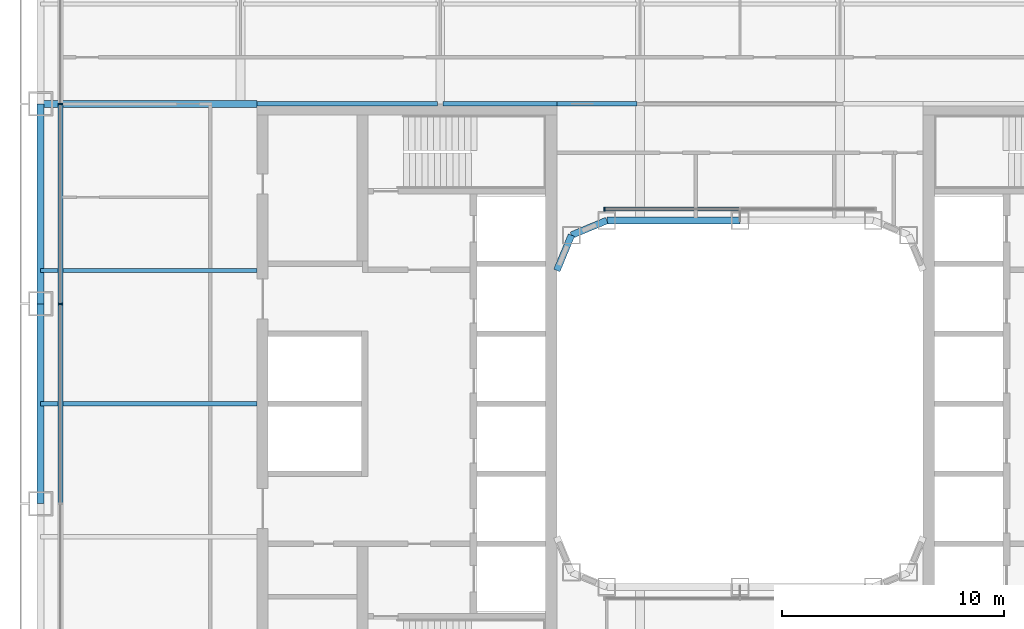
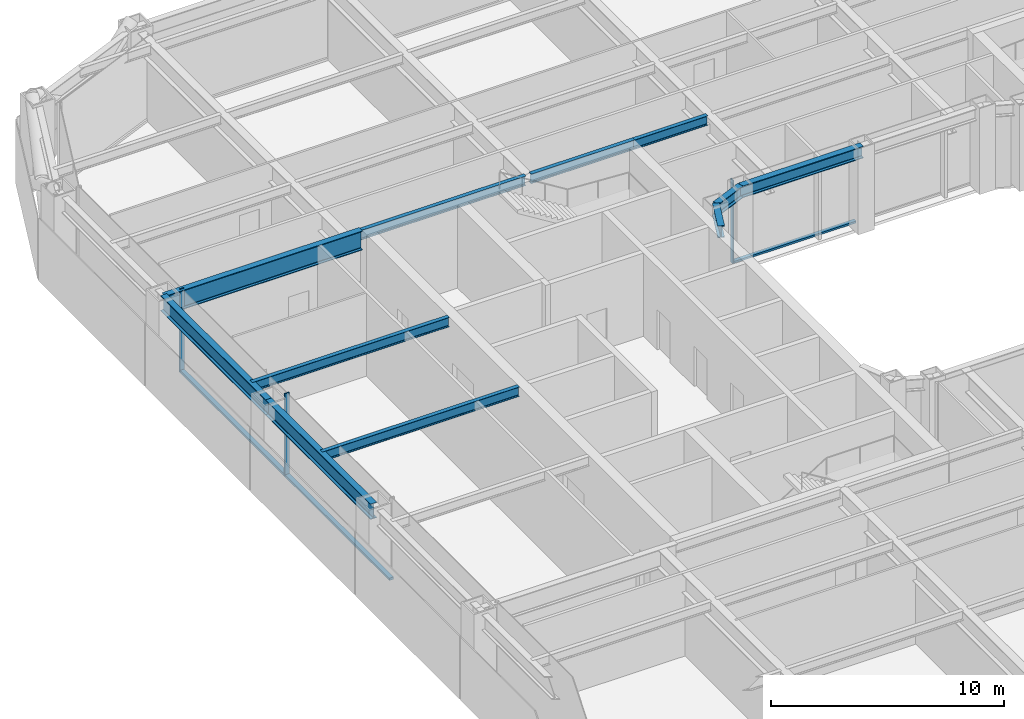
# One storey, part 6 of 30: 11 beams, 6 members, 2 elements without a shape of their own.
"""IFC4 building model written with IfcOpenShell, lengths in metres."""

from ifc_helpers import new_model, si_unit, direction, frame, origin, origin_2d, place, context, subcontext, project, spatial, rectangle, i_section, extrude, material, layer, layer_set, material_profile, profile_set, type_object, element, aggregate, save


model = new_model("IFC4")

# Units and contexts
model_context = context("Model", 3, precision=1e-05, world=origin(), true_north=direction((0.0, 1.0)))
body_context = subcontext(model_context, "Body", "Model", "MODEL_VIEW")
ifc_project = project(units=[si_unit("LENGTHUNIT", "METRE"), si_unit("AREAUNIT", "SQUARE_METRE"), si_unit("VOLUMEUNIT", "CUBIC_METRE"), si_unit("PLANEANGLEUNIT", "RADIAN"), si_unit("MASSUNIT", "GRAM", prefix="KILO")], contexts=[model_context])

# Site, building, storey
site_placement = place(None, origin())
site = spatial("IfcSite", under=ifc_project, at=site_placement, CompositionType="ELEMENT")
building_placement = place(site_placement, origin())
building = spatial("IfcBuilding", under=site, at=building_placement, Name="Siwar Civic Tower", CompositionType="ELEMENT")
storey_placement = place(building_placement, frame((0.0, 0.0, 26.699951171875)))
storey = spatial("IfcBuildingStorey", under=building, at=storey_placement, Name="L05", CompositionType="ELEMENT", Elevation=26.699951171875)

# Curtain wall, members
ifc_material_1 = material(Name="Aluminium and glass", Category="aluminium")
ifc_layer_1 = layer(ifc_material_1, 0.219970703125)
ifc_layer_set_1 = layer_set([ifc_layer_1], Name="Aluminium and glass")
curtain_wall_type_1 = type_object("IfcCurtainWallType", Name="ENV-CW-A", PredefinedType="NOTDEFINED", material=ifc_layer_set_1)
curtain_wall_1_placement = place(storey_placement, origin())
curtain_wall_1 = element("IfcCurtainWall", 1, at=curtain_wall_1_placement, inside=storey, type_object=curtain_wall_type_1, Name="Curtain wall A W", PredefinedType="NOTDEFINED")
ifc_material_2 = material(Name="Aluminium 6063-T6", Category="aluminium")
ifc_material_profile_1 = material_profile(ifc_material_2, rectangle(XDim=0.219970703125, YDim=0.070068359375, at=origin_2d()), Name="AL 220x70")
ifc_profile_set_1 = profile_set([ifc_material_profile_1], Name="Aluminium 6063-T6")
member_type_1 = type_object("IfcMemberType", Name="ENV-MULLION-A", PredefinedType="MULLION", material=ifc_profile_set_1)
member_1_placement = place(storey_placement, frame((-30.60009765625, 13.5, 0.0), z_axis=(0.0, 0.0, 1.0), x_axis=(1.0, 0.0, 0.0)))
member_1 = element("IfcMember", 2, at=member_1_placement, type_object=member_type_1, Name="Mullion A W 2", PredefinedType="MULLION", context=body_context, shape_type="SweptSolid", body=[
    extrude(rectangle(XDim=0.219970703125, YDim=0.070068359375, at=origin_2d()), origin(), (0.0, 0.0, 1.0), 4.35009765625),
])
member_2_placement = place(storey_placement, frame((-30.60009765625, 4.5, 0.0), z_axis=(0.0, 0.0, 1.0), x_axis=(1.0, 0.0, 0.0)))
member_2 = element("IfcMember", 3, at=member_2_placement, type_object=member_type_1, Name="Mullion A W 3", PredefinedType="MULLION", context=body_context, shape_type="SweptSolid", body=[
    extrude(rectangle(XDim=0.219970703125, YDim=0.070068359375, at=origin_2d()), origin(), (0.0, 0.0, 1.0), 4.35009765625),
])

# Curtain wall, member
ifc_material_3 = material(Name="Aluminium and glass", Category="aluminium")
ifc_layer_2 = layer(ifc_material_3, 0.179931640625)
ifc_layer_set_2 = layer_set([ifc_layer_2], Name="Aluminium and glass")
curtain_wall_type_2 = type_object("IfcCurtainWallType", Name="ENV-CW-W", PredefinedType="NOTDEFINED", material=ifc_layer_set_2)
curtain_wall_2_placement = place(storey_placement, origin())
curtain_wall_2 = element("IfcCurtainWall", 4, at=curtain_wall_2_placement, inside=storey, type_object=curtain_wall_type_2, Name="Curtain wall W WN", PredefinedType="NOTDEFINED")
ifc_material_4 = material(Name="Aluminium 6063-T6", Category="aluminium")
ifc_material_profile_2 = material_profile(ifc_material_4, rectangle(XDim=0.179931640625, YDim=0.06005859375, at=origin_2d()), Name="AL 180x60")
ifc_profile_set_2 = profile_set([ifc_material_profile_2], Name="Aluminium 6063-T6")
member_type_2 = type_object("IfcMemberType", Name="ENV-MULLION-W", PredefinedType="MULLION", material=ifc_profile_set_2)
member_3_placement = place(storey_placement, frame((-6.1015625, 8.760009765625, 0.0), z_axis=(0.0, 0.0, 1.0), x_axis=(0.0, -1.0, 0.0)))
member_3 = element("IfcMember", 5, at=member_3_placement, type_object=member_type_2, Name="Mullion W WN 3", PredefinedType="MULLION", context=body_context, shape_type="SweptSolid", body=[
    extrude(rectangle(XDim=0.179931640625, YDim=0.06005859375, at=origin_2d()), origin(), (0.0, 0.0, 1.0), 4.35009765625),
])

# Member
ifc_material_5 = material(Name="Aluminium 6063-T6", Category="aluminium")
ifc_material_profile_3 = material_profile(ifc_material_5, rectangle(XDim=0.219970703125, YDim=0.1201171875, at=origin_2d()), Name="AL 220x120")
ifc_profile_set_3 = profile_set([ifc_material_profile_3], Name="Aluminium 6063-T6")
member_type_3 = type_object("IfcMemberType", Name="ENV-TRANSOM-A", PredefinedType="USERDEFINED", material=ifc_profile_set_3)
member_4_placement = place(storey_placement, frame((-30.60009765625, 13.465087890625, 0.06005859375), z_axis=(0.0, -1.0, 0.0), x_axis=(1.0, 0.0, 0.0)))
member_4 = element("IfcMember", 6, at=member_4_placement, type_object=member_type_3, Name="Transom A W 2", ObjectType="TRANSOM", PredefinedType="USERDEFINED", context=body_context, shape_type="SweptSolid", body=[
    extrude(rectangle(XDim=0.219970703125, YDim=0.1201171875, at=origin_2d()), origin(), (0.0, 0.0, 1.0), 8.93017578125),
])

member_5_placement = place(storey_placement, frame((-30.60009765625, 4.465087890625, 0.06005859375), z_axis=(0.0, -1.0, 0.0), x_axis=(1.0, 0.0, 0.0)))
member_5 = element("IfcMember", 7, at=member_5_placement, type_object=member_type_3, Name="Transom A W 3", ObjectType="TRANSOM", PredefinedType="USERDEFINED", context=body_context, shape_type="SweptSolid", body=[
    extrude(rectangle(XDim=0.219970703125, YDim=0.1201171875, at=origin_2d()), origin(), (0.0, 0.0, 1.0), 8.93017578125),
])

aggregate(curtain_wall_1, [member_1, member_2, member_4, member_5])

ifc_material_6 = material(Name="Aluminium 6063-T6", Category="aluminium")
ifc_material_profile_4 = material_profile(ifc_material_6, rectangle(XDim=0.179931640625, YDim=0.10009765625, at=origin_2d()), Name="AL 180x100")
ifc_profile_set_4 = profile_set([ifc_material_profile_4], Name="Aluminium 6063-T6")
member_type_4 = type_object("IfcMemberType", Name="ENV-TRANSOM-W", PredefinedType="USERDEFINED", material=ifc_profile_set_4)
member_6_placement = place(storey_placement, frame((-0.030029296875, 8.760009765625, 0.050048828125), z_axis=(-1.0, 0.0, 0.0), x_axis=(0.0, -1.0, 0.0)))
member_6 = element("IfcMember", 8, at=member_6_placement, type_object=member_type_4, Name="Transom W WN 2", ObjectType="TRANSOM", PredefinedType="USERDEFINED", context=body_context, shape_type="SweptSolid", body=[
    extrude(rectangle(XDim=0.179931640625, YDim=0.10009765625, at=origin_2d()), origin(), (0.0, 0.0, 1.0), 6.04150390625),
])

aggregate(curtain_wall_2, [member_3, member_6])

# Beams
ifc_material_7 = material(Name="Steel S355", Category="steel")
ifc_material_profile_5 = material_profile(ifc_material_7, i_section(OverallWidth=0.199951171875, OverallDepth=0.5, WebThickness=0.01025390625, FlangeThickness=0.01611328125, FilletRadius=0.02099609375, at=origin_2d()), Name="IPE500")
ifc_profile_set_5 = profile_set([ifc_material_profile_5], Name="Steel S355")
beam_type_1 = type_object("IfcBeamType", Name="STR-FB-IPE500", PredefinedType="JOIST", material=ifc_profile_set_5)
for number, where, z_axis, x_axis, name in (
    (9, (-31.5, 0.0, 4.10009765625), (1.0, 0.0, 0.0), (0.0, 1.0, 0.0), "L05/bm/F033"),
    (10, (-31.5, 6.0, 4.10009765625), (1.0, 0.0, 0.0), (0.0, 1.0, 0.0), "L05/bm/F035"),
):
    element("IfcBeam", number, at=place(storey_placement, frame(where, z_axis=z_axis, x_axis=x_axis)), inside=storey, type_object=beam_type_1, Name=name, PredefinedType="JOIST", context=body_context, shape_type="SweptSolid", body=[
        extrude(i_section(OverallWidth=0.199951171875, OverallDepth=0.5, WebThickness=0.01025390625, FlangeThickness=0.01611328125, FilletRadius=0.02099609375, at=origin_2d()), origin(), (0.0, 0.0, 1.0), 9.75),
    ])
beam_1_placement = place(storey_placement, frame((-21.75, 13.5, 4.10009765625), z_axis=(1.0, 0.0, 0.0), x_axis=(0.0, 1.0, 0.0)))
element("IfcBeam", 11, at=beam_1_placement, inside=storey, type_object=beam_type_1, Name="L05/bm/F038", PredefinedType="JOIST", context=body_context, shape_type="SweptSolid", body=[
    extrude(i_section(OverallWidth=0.199951171875, OverallDepth=0.5, WebThickness=0.01025390625, FlangeThickness=0.01611328125, FilletRadius=0.02099609375, at=origin_2d()), origin(), (0.0, 0.0, 1.0), 8.1201171875),
])
beam_2_placement = place(storey_placement, frame((-13.3701171875, 13.5, 4.10009765625), z_axis=(1.0, 0.0, 0.0), x_axis=(0.0, 1.0, 0.0)))
element("IfcBeam", 12, at=beam_2_placement, inside=storey, type_object=beam_type_1, Name="L05/bm/F039", PredefinedType="JOIST", context=body_context, shape_type="SweptSolid", body=[
    extrude(i_section(OverallWidth=0.199951171875, OverallDepth=0.5, WebThickness=0.01025390625, FlangeThickness=0.01611328125, FilletRadius=0.02099609375, at=origin_2d()), origin(), (0.0, 0.0, 1.0), 5.1201171875),
])
beam_3_placement = place(storey_placement, frame((-8.25, 13.5, 4.10009765625), z_axis=(1.0, 0.0, 0.0), x_axis=(0.0, 1.0, 0.0)))
element("IfcBeam", 13, at=beam_3_placement, inside=storey, type_object=beam_type_1, Name="L05/bm/F040", PredefinedType="JOIST", context=body_context, shape_type="SweptSolid", body=[
    extrude(i_section(OverallWidth=0.199951171875, OverallDepth=0.5, WebThickness=0.01025390625, FlangeThickness=0.01611328125, FilletRadius=0.02099609375, at=origin_2d()), origin(), (0.0, 0.0, 1.0), 3.6201171875),
])
ifc_material_8 = material(Name="Steel S355", Category="steel")
ifc_material_profile_6 = material_profile(ifc_material_8, i_section(OverallWidth=0.300048828125, OverallDepth=1.0, WebThickness=0.01904296875, FlangeThickness=0.035888671875, FilletRadius=0.030029296875, at=origin_2d()), Name="HEB1000")
ifc_profile_set_6 = profile_set([ifc_material_profile_6], Name="Steel S355")
beam_type_2 = type_object("IfcBeamType", Name="STR-PG-HEB1000", PredefinedType="BEAM", material=ifc_profile_set_6)
beam_4_placement = place(storey_placement, frame((-31.5, 13.5, 3.85009765625), z_axis=(1.0, 0.0, 0.0), x_axis=(0.0, 1.0, 0.0)))
element("IfcBeam", 14, at=beam_4_placement, inside=storey, type_object=beam_type_2, Name="L05/bm/F037", PredefinedType="BEAM", context=body_context, shape_type="SweptSolid", body=[
    extrude(i_section(OverallWidth=0.300048828125, OverallDepth=1.0, WebThickness=0.01904296875, FlangeThickness=0.035888671875, FilletRadius=0.030029296875, at=origin_2d()), origin(), (0.0, 0.0, 1.0), 9.75),
])
ifc_material_9 = material(Name="Steel S355", Category="steel")
ifc_material_profile_7 = material_profile(ifc_material_9, i_section(OverallWidth=0.304931640625, OverallDepth=0.6201171875, WebThickness=0.02099609375, FlangeThickness=0.0400390625, FilletRadius=0.027099609375, at=origin_2d()), Name="HEM600")
ifc_profile_set_7 = profile_set([ifc_material_profile_7], Name="Steel S355")
beam_type_3 = type_object("IfcBeamType", Name="STR-RB-HEM600", PredefinedType="BEAM", material=ifc_profile_set_7)
beam_5_placement = place(storey_placement, frame((-7.591064453125, 7.591064453125, 4.0400390625), z_axis=(0.923901072997, 0.382631424892, 0.0), x_axis=(-0.382631424892, 0.923901072997, 0.0)))
element("IfcBeam", 15, at=beam_5_placement, inside=storey, type_object=beam_type_3, Name="L05/bm/RN0", PredefinedType="BEAM", context=body_context, shape_type="SweptSolid", body=[
    extrude(i_section(OverallWidth=0.304931640625, OverallDepth=0.6201171875, WebThickness=0.02099609375, FlangeThickness=0.0400390625, FilletRadius=0.027099609375, at=origin_2d()), origin(), (0.0, 0.0, 1.0), 1.72216796875),
])
beam_6_placement = place(storey_placement, frame((-6.0, 8.25, 4.0400390625), z_axis=(1.0, 0.0, 0.0), x_axis=(0.0, 1.0, 0.0)))
element("IfcBeam", 16, at=beam_6_placement, inside=storey, type_object=beam_type_3, Name="L05/bm/RN1", PredefinedType="BEAM", context=body_context, shape_type="SweptSolid", body=[
    extrude(i_section(OverallWidth=0.304931640625, OverallDepth=0.6201171875, WebThickness=0.02099609375, FlangeThickness=0.0400390625, FilletRadius=0.027099609375, at=origin_2d()), origin(), (0.0, 0.0, 1.0), 6.0),
])
beam_7_placement = place(storey_placement, frame((-7.591064453125, 7.591064453125, 4.0400390625), z_axis=(-0.382631424892, -0.923901072997, 0.0), x_axis=(0.923901072997, -0.382631424892, 0.0)))
element("IfcBeam", 17, at=beam_7_placement, inside=storey, type_object=beam_type_3, Name="L05/bm/RNEW", PredefinedType="BEAM", context=body_context, shape_type="SweptSolid", body=[
    extrude(i_section(OverallWidth=0.304931640625, OverallDepth=0.6201171875, WebThickness=0.02099609375, FlangeThickness=0.0400390625, FilletRadius=0.027099609375, at=origin_2d()), origin(), (0.0, 0.0, 1.0), 1.72216796875),
])
ifc_material_10 = material(Name="Steel S355", Category="steel")
ifc_material_profile_8 = material_profile(ifc_material_10, i_section(OverallWidth=0.302978515625, OverallDepth=0.81396484375, WebThickness=0.02099609375, FlangeThickness=0.0400390625, FilletRadius=0.030029296875, at=origin_2d()), Name="HEM800")
ifc_profile_set_8 = profile_set([ifc_material_profile_8], Name="Steel S355")
beam_type_4 = type_object("IfcBeamType", Name="STR-SB-HEM800", PredefinedType="BEAM", material=ifc_profile_set_8)
for number, where, z_axis, x_axis, name in (
    (18, (-31.5, 13.5, 3.943115234375), (0.0, -1.0, 0.0), (1.0, 0.0, 0.0), "L05/bm/SW-1"),
    (19, (-31.5, 4.5, 3.943115234375), (0.0, -1.0, 0.0), (1.0, 0.0, 0.0), "L05/bm/SW-2"),
):
    element("IfcBeam", number, at=place(storey_placement, frame(where, z_axis=z_axis, x_axis=x_axis)), inside=storey, type_object=beam_type_4, Name=name, PredefinedType="BEAM", context=body_context, shape_type="SweptSolid", body=[
        extrude(i_section(OverallWidth=0.302978515625, OverallDepth=0.81396484375, WebThickness=0.02099609375, FlangeThickness=0.0400390625, FilletRadius=0.030029296875, at=origin_2d()), origin(), (0.0, 0.0, 1.0), 9.0),
    ])

save(model, "model.ifc")
